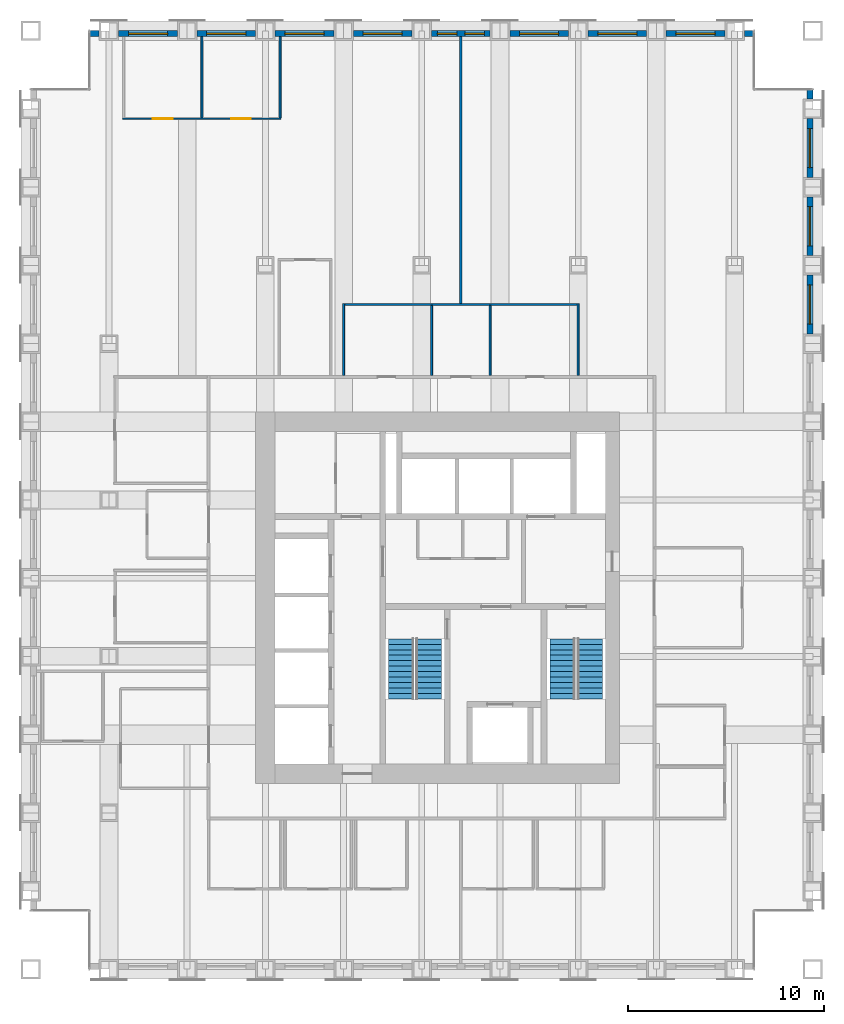
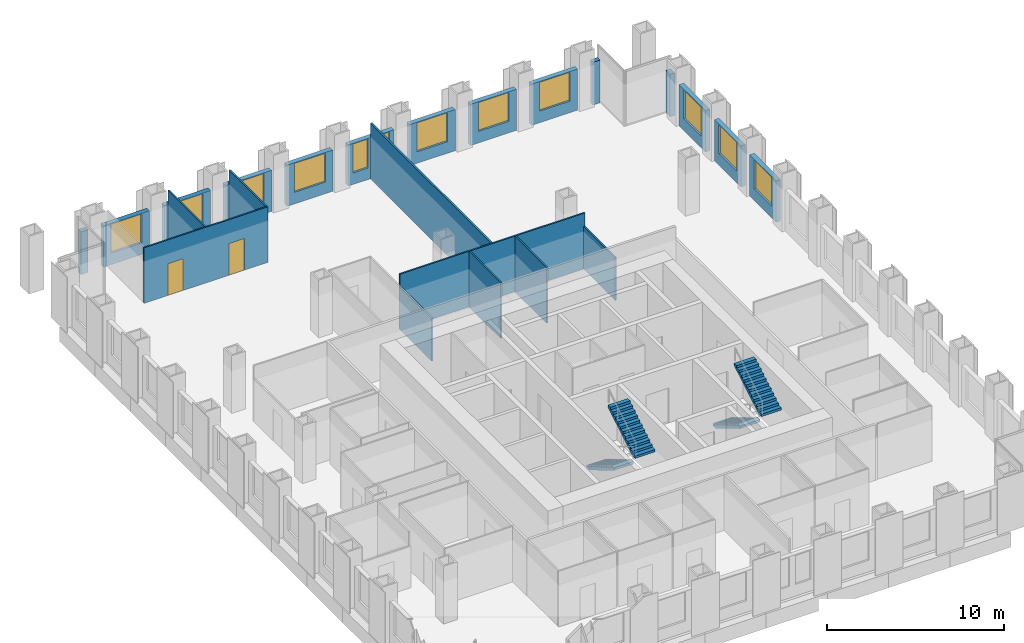
# One storey, part 12 of 14: 23 walls, 12 windows, 4 stair flights, 2 doors, 14 openings, 2 elements without a shape of their own.
"""IFC4 building model written with IfcOpenShell, lengths in metres."""

from ifc_helpers import new_model, si_unit, direction, frame, frame_2d, origin, place, context, subcontext, project, spatial, polyline, rectangle, outline, extrude, material, layer, layer_set, type_object, element, fill, aggregate, save


model = new_model("IFC4")

# Units and contexts
model_context = context("Model", 3, precision=1e-05, world=origin(), true_north=direction((0.0, 1.0)))
body_context = subcontext(model_context, "Body", "Model", "MODEL_VIEW")
ifc_project = project(units=[si_unit("LENGTHUNIT", "METRE"), si_unit("AREAUNIT", "SQUARE_METRE"), si_unit("VOLUMEUNIT", "CUBIC_METRE"), si_unit("PLANEANGLEUNIT", "RADIAN"), si_unit("MASSUNIT", "GRAM", prefix="KILO")], contexts=[model_context])

# Site, building, storey
site_placement = place(None, origin())
site = spatial("IfcSite", under=ifc_project, at=site_placement, CompositionType="ELEMENT")
building_placement = place(site_placement, origin())
building = spatial("IfcBuilding", under=site, at=building_placement, Name="Rimbunsela Tower", CompositionType="ELEMENT")
storey_placement = place(building_placement, frame((0.0, 0.0, 183.800048828125)))
storey = spatial("IfcBuildingStorey", under=building, at=storey_placement, Name="L44", CompositionType="ELEMENT", Elevation=183.800048828125)

# Wall, openings, doors
ifc_material_1 = material(Name="Gypsum board on steel studs", Category="steel")
ifc_layer_1 = layer(ifc_material_1, 0.10009765625)
ifc_layer_set_1 = layer_set([ifc_layer_1], Name="Office partition 100")
wall_type_1 = type_object("IfcWallType", Name="Office partition 100", PredefinedType="PARTITIONING", material=ifc_layer_set_1)
wall_1_placement = place(storey_placement, frame((10.699951171875, 51.5, 0.0), z_axis=(0.0, 0.0, 1.0), x_axis=(1.0, 0.0, 0.0)))
wall_1 = element("IfcWall", 1, at=wall_1_placement, inside=storey, type_object=wall_type_1, Name="Office partition", PredefinedType="PARTITIONING", context=body_context, shape_type="SweptSolid", body=[
    extrude(rectangle(XDim=8.10009765625, YDim=0.10009765625, at=frame_2d((4.050048828125, 0.0))), origin(), (0.0, 0.0, 1.0), 3.849853515625),
])
opening_1_placement = place(wall_1_placement, frame((1.550048828125, 0.0, 0.0)))
opening_1 = element("IfcOpeningElement", 2, at=opening_1_placement, cuts=wall_1, Name="Opening D16", PredefinedType="OPENING", context=body_context, shape_type="SweptSolid", body=[
    extrude(rectangle(XDim=1.0, YDim=2.199951171875, at=frame_2d((0.5, 1.10009765625))), frame((0.0, 0.06005859375, 0.0), z_axis=(0.0, -1.0, 0.0), x_axis=(1.0, 0.0, 0.0)), (0.0, 0.0, 1.0), 0.1201171875),
])
opening_2_placement = place(wall_1_placement, frame((5.550048828125, 0.0, 0.0)))
opening_2 = element("IfcOpeningElement", 3, at=opening_2_placement, cuts=wall_1, Name="Opening D16", PredefinedType="OPENING", context=body_context, shape_type="SweptSolid", body=[
    extrude(rectangle(XDim=1.0, YDim=2.199951171875, at=frame_2d((0.5, 1.10009765625))), frame((0.0, 0.06005859375, 0.0), z_axis=(0.0, -1.0, 0.0), x_axis=(1.0, 0.0, 0.0)), (0.0, 0.0, 1.0), 0.1201171875),
])
ifc_material_2 = material(Name="Timber door", Category="wood")
door_type = type_object("IfcDoorType", Name="Office door 1000", OperationType="SINGLE_SWING_LEFT", PredefinedType="DOOR", material=ifc_material_2)
door_1_placement = place(opening_1_placement, origin())
door_1 = element("IfcDoor", 4, at=door_1_placement, inside=storey, type_object=door_type, Name="Office door", OperationType="SINGLE_SWING_LEFT", OverallHeight=2.199951171875, OverallWidth=1.0, PredefinedType="DOOR", context=body_context, shape_type="SweptSolid", body=[
    extrude(rectangle(XDim=1.0, YDim=2.199951171875, at=frame_2d((0.5, 1.10009765625))), frame((0.0, 0.02490234375, 0.0), z_axis=(0.0, -1.0, 0.0), x_axis=(1.0, 0.0, 0.0)), (0.0, 0.0, 1.0), 0.050048828125),
])
fill(opening_1, door_1)
door_2_placement = place(opening_2_placement, origin())
door_2 = element("IfcDoor", 5, at=door_2_placement, inside=storey, type_object=door_type, Name="Office door", OperationType="SINGLE_SWING_LEFT", OverallHeight=2.199951171875, OverallWidth=1.0, PredefinedType="DOOR", context=body_context, shape_type="SweptSolid", body=[
    extrude(rectangle(XDim=1.0, YDim=2.199951171875, at=frame_2d((0.5, 1.10009765625))), frame((0.0, 0.02490234375, 0.0), z_axis=(0.0, -1.0, 0.0), x_axis=(1.0, 0.0, 0.0)), (0.0, 0.0, 1.0), 0.050048828125),
])
fill(opening_2, door_2)

# Walls
for number, where, z_axis, x_axis, name in (
    (6, (14.75, 51.550048828125, 0.0), (0.0, 0.0, 1.0), (0.0, 1.0, 0.0), "Office partition"),
    (7, (18.75, 51.550048828125, 0.0), (0.0, 0.0, 1.0), (0.0, 1.0, 0.0), "Office partition"),
):
    element("IfcWall", number, at=place(storey_placement, frame(where, z_axis=z_axis, x_axis=x_axis)), inside=storey, type_object=wall_type_1, Name=name, PredefinedType="PARTITIONING", context=body_context, shape_type="SweptSolid", body=[
        extrude(rectangle(XDim=4.14990234375, YDim=0.10009765625, at=frame_2d((2.074951171875, 0.0))), origin(), (0.0, 0.0, 1.0), 3.849853515625),
    ])

# Wall, opening, window
ifc_material_3 = material(Name="Precast concrete fc' 35 MPa", Category="concrete")
ifc_layer_2 = layer(ifc_material_3, 0.300048828125)
ifc_layer_set_2 = layer_set([ifc_layer_2], Name="Precast concrete fc' 35 MPa")
wall_type_2 = type_object("IfcWallType", Name="Precast facade panel 300", PredefinedType="ELEMENTEDWALL", material=ifc_layer_set_2)
wall_2_placement = place(storey_placement, frame((45.85009765625, 40.5, 0.0), z_axis=(0.0, 0.0, 1.0), x_axis=(0.0, 1.0, 0.0)))
wall_2 = element("IfcWall", 8, at=wall_2_placement, inside=storey, type_object=wall_type_2, Name="Facade panel E L44", PredefinedType="ELEMENTEDWALL", context=body_context, shape_type="SweptSolid", body=[
    extrude(rectangle(XDim=3.0, YDim=0.300048828125, at=frame_2d((1.5, 0.0))), origin(), (0.0, 0.0, 1.0), 2.849853515625),
])
opening_3_placement = place(wall_2_placement, frame((0.5, 0.0, 0.800048828125)))
opening_3 = element("IfcOpeningElement", 9, at=opening_3_placement, cuts=wall_2, Name="Opening W1", PredefinedType="OPENING", context=body_context, shape_type="SweptSolid", body=[
    extrude(rectangle(XDim=2.0, YDim=2.0, at=frame_2d((1.0, 1.0))), frame((0.0, 0.159912109375, 0.0), z_axis=(0.0, -1.0, 0.0), x_axis=(1.0, 0.0, 0.0)), (0.0, 0.0, 1.0), 0.320068359375),
])
ifc_material_4 = material(Name="Clear glass in aluminium frame", Category="aluminium")
window_type_1 = type_object("IfcWindowType", Name="Window W1 2000x2000", PartitioningType="DOUBLE_PANEL_VERTICAL", PredefinedType="WINDOW", material=ifc_material_4)
window_1_placement = place(opening_3_placement, origin())
window_1 = element("IfcWindow", 10, at=window_1_placement, inside=storey, type_object=window_type_1, Name="Window L44", OverallHeight=2.0, OverallWidth=2.0, PartitioningType="SINGLE_PANEL", PredefinedType="WINDOW", context=body_context, shape_type="SweptSolid", body=[
    extrude(rectangle(XDim=2.0, YDim=2.0, at=frame_2d((1.0, 1.0))), frame((0.0, 0.030029296875, 0.0), z_axis=(0.0, -1.0, 0.0), x_axis=(1.0, 0.0, 0.0)), (0.0, 0.0, 1.0), 0.06005859375),
])
fill(opening_3, window_1)

wall_3_placement = place(storey_placement, frame((45.85009765625, 44.5, 0.0), z_axis=(0.0, 0.0, 1.0), x_axis=(0.0, 1.0, 0.0)))
wall_3 = element("IfcWall", 11, at=wall_3_placement, inside=storey, type_object=wall_type_2, Name="Facade panel E L44", PredefinedType="ELEMENTEDWALL", context=body_context, shape_type="SweptSolid", body=[
    extrude(rectangle(XDim=3.0, YDim=0.300048828125, at=frame_2d((1.5, 0.0))), origin(), (0.0, 0.0, 1.0), 2.849853515625),
])
opening_4_placement = place(wall_3_placement, frame((0.5, 0.0, 0.800048828125)))
opening_4 = element("IfcOpeningElement", 12, at=opening_4_placement, cuts=wall_3, Name="Opening W1", PredefinedType="OPENING", context=body_context, shape_type="SweptSolid", body=[
    extrude(rectangle(XDim=2.0, YDim=2.0, at=frame_2d((1.0, 1.0))), frame((0.0, 0.159912109375, 0.0), z_axis=(0.0, -1.0, 0.0), x_axis=(1.0, 0.0, 0.0)), (0.0, 0.0, 1.0), 0.320068359375),
])
window_2_placement = place(opening_4_placement, origin())
window_2 = element("IfcWindow", 13, at=window_2_placement, inside=storey, type_object=window_type_1, Name="Window L44", OverallHeight=2.0, OverallWidth=2.0, PartitioningType="SINGLE_PANEL", PredefinedType="WINDOW", context=body_context, shape_type="SweptSolid", body=[
    extrude(rectangle(XDim=2.0, YDim=2.0, at=frame_2d((1.0, 1.0))), frame((0.0, 0.030029296875, 0.0), z_axis=(0.0, -1.0, 0.0), x_axis=(1.0, 0.0, 0.0)), (0.0, 0.0, 1.0), 0.06005859375),
])
fill(opening_4, window_2)

wall_4_placement = place(storey_placement, frame((45.85009765625, 48.5, 0.0), z_axis=(0.0, 0.0, 1.0), x_axis=(0.0, 1.0, 0.0)))
wall_4 = element("IfcWall", 14, at=wall_4_placement, inside=storey, type_object=wall_type_2, Name="Facade panel E L44", PredefinedType="ELEMENTEDWALL", context=body_context, shape_type="SweptSolid", body=[
    extrude(rectangle(XDim=3.0, YDim=0.300048828125, at=frame_2d((1.5, 0.0))), origin(), (0.0, 0.0, 1.0), 2.849853515625),
])
opening_5_placement = place(wall_4_placement, frame((0.5, 0.0, 0.800048828125)))
opening_5 = element("IfcOpeningElement", 15, at=opening_5_placement, cuts=wall_4, Name="Opening W1", PredefinedType="OPENING", context=body_context, shape_type="SweptSolid", body=[
    extrude(rectangle(XDim=2.0, YDim=2.0, at=frame_2d((1.0, 1.0))), frame((0.0, 0.159912109375, 0.0), z_axis=(0.0, -1.0, 0.0), x_axis=(1.0, 0.0, 0.0)), (0.0, 0.0, 1.0), 0.320068359375),
])
window_3_placement = place(opening_5_placement, origin())
window_3 = element("IfcWindow", 16, at=window_3_placement, inside=storey, type_object=window_type_1, Name="Window L44", OverallHeight=2.0, OverallWidth=2.0, PartitioningType="SINGLE_PANEL", PredefinedType="WINDOW", context=body_context, shape_type="SweptSolid", body=[
    extrude(rectangle(XDim=2.0, YDim=2.0, at=frame_2d((1.0, 1.0))), frame((0.0, 0.030029296875, 0.0), z_axis=(0.0, -1.0, 0.0), x_axis=(1.0, 0.0, 0.0)), (0.0, 0.0, 1.0), 0.06005859375),
])
fill(opening_5, window_3)

# Walls
for number, where, z_axis, x_axis, name in (
    (17, (45.85009765625, 52.5, 0.0), (0.0, 0.0, 1.0), (0.0, 1.0, 0.0), "Facade panel E L44"),
    (18, (9.5, 55.85009765625, 0.0), (0.0, 0.0, 1.0), (-1.0, 0.0, 0.0), "Facade panel N L44"),
):
    element("IfcWall", number, at=place(storey_placement, frame(where, z_axis=z_axis, x_axis=x_axis)), inside=storey, type_object=wall_type_2, Name=name, PredefinedType="ELEMENTEDWALL", context=body_context, shape_type="SweptSolid", body=[
        extrude(rectangle(XDim=0.469970703125, YDim=0.300048828125, at=frame_2d((0.23486328125, 0.0))), origin(), (0.0, 0.0, 1.0), 2.949951171875),
    ])

# Wall, opening, window
wall_5_placement = place(storey_placement, frame((13.5, 55.85009765625, 0.0), z_axis=(0.0, 0.0, 1.0), x_axis=(-1.0, 0.0, 0.0)))
wall_5 = element("IfcWall", 19, at=wall_5_placement, inside=storey, type_object=wall_type_2, Name="Facade panel N L44", PredefinedType="ELEMENTEDWALL", context=body_context, shape_type="SweptSolid", body=[
    extrude(rectangle(XDim=3.0, YDim=0.300048828125, at=frame_2d((1.5, 0.0))), origin(), (0.0, 0.0, 1.0), 2.849853515625),
])
opening_6_placement = place(wall_5_placement, frame((0.5, 0.0, 0.800048828125)))
opening_6 = element("IfcOpeningElement", 20, at=opening_6_placement, cuts=wall_5, Name="Opening W1", PredefinedType="OPENING", context=body_context, shape_type="SweptSolid", body=[
    extrude(rectangle(XDim=2.0, YDim=2.0, at=frame_2d((1.0, 1.0))), frame((0.0, 0.159912109375, 0.0), z_axis=(0.0, -1.0, 0.0), x_axis=(1.0, 0.0, 0.0)), (0.0, 0.0, 1.0), 0.320068359375),
])
window_4_placement = place(opening_6_placement, origin())
window_4 = element("IfcWindow", 21, at=window_4_placement, inside=storey, type_object=window_type_1, Name="Window L44", OverallHeight=2.0, OverallWidth=2.0, PartitioningType="SINGLE_PANEL", PredefinedType="WINDOW", context=body_context, shape_type="SweptSolid", body=[
    extrude(rectangle(XDim=2.0, YDim=2.0, at=frame_2d((1.0, 1.0))), frame((0.0, 0.030029296875, 0.0), z_axis=(0.0, -1.0, 0.0), x_axis=(1.0, 0.0, 0.0)), (0.0, 0.0, 1.0), 0.06005859375),
])
fill(opening_6, window_4)

wall_6_placement = place(storey_placement, frame((17.5, 55.85009765625, 0.0), z_axis=(0.0, 0.0, 1.0), x_axis=(-1.0, 0.0, 0.0)))
wall_6 = element("IfcWall", 22, at=wall_6_placement, inside=storey, type_object=wall_type_2, Name="Facade panel N L44", PredefinedType="ELEMENTEDWALL", context=body_context, shape_type="SweptSolid", body=[
    extrude(rectangle(XDim=3.0, YDim=0.300048828125, at=frame_2d((1.5, 0.0))), origin(), (0.0, 0.0, 1.0), 2.849853515625),
])
opening_7_placement = place(wall_6_placement, frame((0.5, 0.0, 0.800048828125)))
opening_7 = element("IfcOpeningElement", 23, at=opening_7_placement, cuts=wall_6, Name="Opening W1", PredefinedType="OPENING", context=body_context, shape_type="SweptSolid", body=[
    extrude(rectangle(XDim=2.0, YDim=2.0, at=frame_2d((1.0, 1.0))), frame((0.0, 0.159912109375, 0.0), z_axis=(0.0, -1.0, 0.0), x_axis=(1.0, 0.0, 0.0)), (0.0, 0.0, 1.0), 0.320068359375),
])
window_5_placement = place(opening_7_placement, origin())
window_5 = element("IfcWindow", 24, at=window_5_placement, inside=storey, type_object=window_type_1, Name="Window L44", OverallHeight=2.0, OverallWidth=2.0, PartitioningType="SINGLE_PANEL", PredefinedType="WINDOW", context=body_context, shape_type="SweptSolid", body=[
    extrude(rectangle(XDim=2.0, YDim=2.0, at=frame_2d((1.0, 1.0))), frame((0.0, 0.030029296875, 0.0), z_axis=(0.0, -1.0, 0.0), x_axis=(1.0, 0.0, 0.0)), (0.0, 0.0, 1.0), 0.06005859375),
])
fill(opening_7, window_5)

wall_7_placement = place(storey_placement, frame((21.5, 55.85009765625, 0.0), z_axis=(0.0, 0.0, 1.0), x_axis=(-1.0, 0.0, 0.0)))
wall_7 = element("IfcWall", 25, at=wall_7_placement, inside=storey, type_object=wall_type_2, Name="Facade panel N L44", PredefinedType="ELEMENTEDWALL", context=body_context, shape_type="SweptSolid", body=[
    extrude(rectangle(XDim=3.0, YDim=0.300048828125, at=frame_2d((1.5, 0.0))), origin(), (0.0, 0.0, 1.0), 2.849853515625),
])
opening_8_placement = place(wall_7_placement, frame((0.5, 0.0, 0.800048828125)))
opening_8 = element("IfcOpeningElement", 26, at=opening_8_placement, cuts=wall_7, Name="Opening W1", PredefinedType="OPENING", context=body_context, shape_type="SweptSolid", body=[
    extrude(rectangle(XDim=2.0, YDim=2.0, at=frame_2d((1.0, 1.0))), frame((0.0, 0.159912109375, 0.0), z_axis=(0.0, -1.0, 0.0), x_axis=(1.0, 0.0, 0.0)), (0.0, 0.0, 1.0), 0.320068359375),
])
window_6_placement = place(opening_8_placement, origin())
window_6 = element("IfcWindow", 27, at=window_6_placement, inside=storey, type_object=window_type_1, Name="Window L44", OverallHeight=2.0, OverallWidth=2.0, PartitioningType="SINGLE_PANEL", PredefinedType="WINDOW", context=body_context, shape_type="SweptSolid", body=[
    extrude(rectangle(XDim=2.0, YDim=2.0, at=frame_2d((1.0, 1.0))), frame((0.0, 0.030029296875, 0.0), z_axis=(0.0, -1.0, 0.0), x_axis=(1.0, 0.0, 0.0)), (0.0, 0.0, 1.0), 0.06005859375),
])
fill(opening_8, window_6)

wall_8_placement = place(storey_placement, frame((25.5, 55.85009765625, 0.0), z_axis=(0.0, 0.0, 1.0), x_axis=(-1.0, 0.0, 0.0)))
wall_8 = element("IfcWall", 28, at=wall_8_placement, inside=storey, type_object=wall_type_2, Name="Facade panel N L44", PredefinedType="ELEMENTEDWALL", context=body_context, shape_type="SweptSolid", body=[
    extrude(rectangle(XDim=3.0, YDim=0.300048828125, at=frame_2d((1.5, 0.0))), origin(), (0.0, 0.0, 1.0), 2.849853515625),
])
opening_9_placement = place(wall_8_placement, frame((0.5, 0.0, 0.800048828125)))
opening_9 = element("IfcOpeningElement", 29, at=opening_9_placement, cuts=wall_8, Name="Opening W1", PredefinedType="OPENING", context=body_context, shape_type="SweptSolid", body=[
    extrude(rectangle(XDim=2.0, YDim=2.0, at=frame_2d((1.0, 1.0))), frame((0.0, 0.159912109375, 0.0), z_axis=(0.0, -1.0, 0.0), x_axis=(1.0, 0.0, 0.0)), (0.0, 0.0, 1.0), 0.320068359375),
])
window_7_placement = place(opening_9_placement, origin())
window_7 = element("IfcWindow", 30, at=window_7_placement, inside=storey, type_object=window_type_1, Name="Window L44", OverallHeight=2.0, OverallWidth=2.0, PartitioningType="SINGLE_PANEL", PredefinedType="WINDOW", context=body_context, shape_type="SweptSolid", body=[
    extrude(rectangle(XDim=2.0, YDim=2.0, at=frame_2d((1.0, 1.0))), frame((0.0, 0.030029296875, 0.0), z_axis=(0.0, -1.0, 0.0), x_axis=(1.0, 0.0, 0.0)), (0.0, 0.0, 1.0), 0.06005859375),
])
fill(opening_9, window_7)

# Wall, openings, windows
wall_9_placement = place(storey_placement, frame((29.5, 55.85009765625, 0.0), z_axis=(0.0, 0.0, 1.0), x_axis=(-1.0, 0.0, 0.0)))
wall_9 = element("IfcWall", 31, at=wall_9_placement, inside=storey, type_object=wall_type_2, Name="Facade panel N L44", PredefinedType="ELEMENTEDWALL", context=body_context, shape_type="SweptSolid", body=[
    extrude(rectangle(XDim=3.0, YDim=0.300048828125, at=frame_2d((1.5, 0.0))), origin(), (0.0, 0.0, 1.0), 2.849853515625),
])
opening_10_placement = place(wall_9_placement, frame((1.699951171875, 0.0, 0.800048828125)))
opening_10 = element("IfcOpeningElement", 32, at=opening_10_placement, cuts=wall_9, Name="Opening W5", PredefinedType="OPENING", context=body_context, shape_type="SweptSolid", body=[
    extrude(rectangle(XDim=1.0, YDim=2.0, at=frame_2d((0.5, 1.0))), frame((0.0, 0.159912109375, 0.0), z_axis=(0.0, -1.0, 0.0), x_axis=(1.0, 0.0, 0.0)), (0.0, 0.0, 1.0), 0.320068359375),
])
opening_11_placement = place(wall_9_placement, frame((0.300048828125, 0.0, 0.800048828125)))
opening_11 = element("IfcOpeningElement", 33, at=opening_11_placement, cuts=wall_9, Name="Opening W5", PredefinedType="OPENING", context=body_context, shape_type="SweptSolid", body=[
    extrude(rectangle(XDim=1.0, YDim=2.0, at=frame_2d((0.5, 1.0))), frame((0.0, 0.159912109375, 0.0), z_axis=(0.0, -1.0, 0.0), x_axis=(1.0, 0.0, 0.0)), (0.0, 0.0, 1.0), 0.320068359375),
])
ifc_material_5 = material(Name="Clear glass in aluminium frame", Category="aluminium")
window_type_2 = type_object("IfcWindowType", Name="Window W5 1000x2000", PartitioningType="SINGLE_PANEL", PredefinedType="WINDOW", material=ifc_material_5)
window_8_placement = place(opening_10_placement, origin())
window_8 = element("IfcWindow", 34, at=window_8_placement, inside=storey, type_object=window_type_2, Name="Window L44", OverallHeight=2.0, OverallWidth=1.0, PartitioningType="SINGLE_PANEL", PredefinedType="WINDOW", context=body_context, shape_type="SweptSolid", body=[
    extrude(rectangle(XDim=1.0, YDim=2.0, at=frame_2d((0.5, 1.0))), frame((0.0, 0.030029296875, 0.0), z_axis=(0.0, -1.0, 0.0), x_axis=(1.0, 0.0, 0.0)), (0.0, 0.0, 1.0), 0.06005859375),
])
fill(opening_10, window_8)
window_9_placement = place(opening_11_placement, origin())
window_9 = element("IfcWindow", 35, at=window_9_placement, inside=storey, type_object=window_type_2, Name="Window L44", OverallHeight=2.0, OverallWidth=1.0, PartitioningType="SINGLE_PANEL", PredefinedType="WINDOW", context=body_context, shape_type="SweptSolid", body=[
    extrude(rectangle(XDim=1.0, YDim=2.0, at=frame_2d((0.5, 1.0))), frame((0.0, 0.030029296875, 0.0), z_axis=(0.0, -1.0, 0.0), x_axis=(1.0, 0.0, 0.0)), (0.0, 0.0, 1.0), 0.06005859375),
])
fill(opening_11, window_9)

# Wall, opening, window
wall_10_placement = place(storey_placement, frame((33.5, 55.85009765625, 0.0), z_axis=(0.0, 0.0, 1.0), x_axis=(-1.0, 0.0, 0.0)))
wall_10 = element("IfcWall", 36, at=wall_10_placement, inside=storey, type_object=wall_type_2, Name="Facade panel N L44", PredefinedType="ELEMENTEDWALL", context=body_context, shape_type="SweptSolid", body=[
    extrude(rectangle(XDim=3.0, YDim=0.300048828125, at=frame_2d((1.5, 0.0))), origin(), (0.0, 0.0, 1.0), 2.849853515625),
])
opening_12_placement = place(wall_10_placement, frame((0.5, 0.0, 0.800048828125)))
opening_12 = element("IfcOpeningElement", 37, at=opening_12_placement, cuts=wall_10, Name="Opening W1", PredefinedType="OPENING", context=body_context, shape_type="SweptSolid", body=[
    extrude(rectangle(XDim=2.0, YDim=2.0, at=frame_2d((1.0, 1.0))), frame((0.0, 0.159912109375, 0.0), z_axis=(0.0, -1.0, 0.0), x_axis=(1.0, 0.0, 0.0)), (0.0, 0.0, 1.0), 0.320068359375),
])
window_10_placement = place(opening_12_placement, origin())
window_10 = element("IfcWindow", 38, at=window_10_placement, inside=storey, type_object=window_type_1, Name="Window L44", OverallHeight=2.0, OverallWidth=2.0, PartitioningType="SINGLE_PANEL", PredefinedType="WINDOW", context=body_context, shape_type="SweptSolid", body=[
    extrude(rectangle(XDim=2.0, YDim=2.0, at=frame_2d((1.0, 1.0))), frame((0.0, 0.030029296875, 0.0), z_axis=(0.0, -1.0, 0.0), x_axis=(1.0, 0.0, 0.0)), (0.0, 0.0, 1.0), 0.06005859375),
])
fill(opening_12, window_10)

wall_11_placement = place(storey_placement, frame((37.5, 55.85009765625, 0.0), z_axis=(0.0, 0.0, 1.0), x_axis=(-1.0, 0.0, 0.0)))
wall_11 = element("IfcWall", 39, at=wall_11_placement, inside=storey, type_object=wall_type_2, Name="Facade panel N L44", PredefinedType="ELEMENTEDWALL", context=body_context, shape_type="SweptSolid", body=[
    extrude(rectangle(XDim=3.0, YDim=0.300048828125, at=frame_2d((1.5, 0.0))), origin(), (0.0, 0.0, 1.0), 2.849853515625),
])
opening_13_placement = place(wall_11_placement, frame((0.5, 0.0, 0.800048828125)))
opening_13 = element("IfcOpeningElement", 40, at=opening_13_placement, cuts=wall_11, Name="Opening W1", PredefinedType="OPENING", context=body_context, shape_type="SweptSolid", body=[
    extrude(rectangle(XDim=2.0, YDim=2.0, at=frame_2d((1.0, 1.0))), frame((0.0, 0.159912109375, 0.0), z_axis=(0.0, -1.0, 0.0), x_axis=(1.0, 0.0, 0.0)), (0.0, 0.0, 1.0), 0.320068359375),
])
window_11_placement = place(opening_13_placement, origin())
window_11 = element("IfcWindow", 41, at=window_11_placement, inside=storey, type_object=window_type_1, Name="Window L44", OverallHeight=2.0, OverallWidth=2.0, PartitioningType="SINGLE_PANEL", PredefinedType="WINDOW", context=body_context, shape_type="SweptSolid", body=[
    extrude(rectangle(XDim=2.0, YDim=2.0, at=frame_2d((1.0, 1.0))), frame((0.0, 0.030029296875, 0.0), z_axis=(0.0, -1.0, 0.0), x_axis=(1.0, 0.0, 0.0)), (0.0, 0.0, 1.0), 0.06005859375),
])
fill(opening_13, window_11)

wall_12_placement = place(storey_placement, frame((41.5, 55.85009765625, 0.0), z_axis=(0.0, 0.0, 1.0), x_axis=(-1.0, 0.0, 0.0)))
wall_12 = element("IfcWall", 42, at=wall_12_placement, inside=storey, type_object=wall_type_2, Name="Facade panel N L44", PredefinedType="ELEMENTEDWALL", context=body_context, shape_type="SweptSolid", body=[
    extrude(rectangle(XDim=3.0, YDim=0.300048828125, at=frame_2d((1.5, 0.0))), origin(), (0.0, 0.0, 1.0), 2.849853515625),
])
opening_14_placement = place(wall_12_placement, frame((0.5, 0.0, 0.800048828125)))
opening_14 = element("IfcOpeningElement", 43, at=opening_14_placement, cuts=wall_12, Name="Opening W1", PredefinedType="OPENING", context=body_context, shape_type="SweptSolid", body=[
    extrude(rectangle(XDim=2.0, YDim=2.0, at=frame_2d((1.0, 1.0))), frame((0.0, 0.159912109375, 0.0), z_axis=(0.0, -1.0, 0.0), x_axis=(1.0, 0.0, 0.0)), (0.0, 0.0, 1.0), 0.320068359375),
])
window_12_placement = place(opening_14_placement, origin())
window_12 = element("IfcWindow", 44, at=window_12_placement, inside=storey, type_object=window_type_1, Name="Window L44", OverallHeight=2.0, OverallWidth=2.0, PartitioningType="SINGLE_PANEL", PredefinedType="WINDOW", context=body_context, shape_type="SweptSolid", body=[
    extrude(rectangle(XDim=2.0, YDim=2.0, at=frame_2d((1.0, 1.0))), frame((0.0, 0.030029296875, 0.0), z_axis=(0.0, -1.0, 0.0), x_axis=(1.0, 0.0, 0.0)), (0.0, 0.0, 1.0), 0.06005859375),
])
fill(opening_14, window_12)

# Walls
wall_13_placement = place(storey_placement, frame((42.969970703125, 55.85009765625, 0.0), z_axis=(0.0, 0.0, 1.0), x_axis=(-1.0, 0.0, 0.0)))
element("IfcWall", 45, at=wall_13_placement, inside=storey, type_object=wall_type_2, Name="Facade panel N L44", PredefinedType="ELEMENTEDWALL", context=body_context, shape_type="SweptSolid", body=[
    extrude(rectangle(XDim=0.469970703125, YDim=0.300048828125, at=frame_2d((0.23486328125, 0.0))), origin(), (0.0, 0.0, 1.0), 2.949951171875),
])
ifc_material_6 = material(Name="Gypsum board on steel studs", Category="steel")
ifc_layer_3 = layer(ifc_material_6, 0.1201171875)
ifc_layer_set_3 = layer_set([ifc_layer_3], Name="Tenancy partition 120")
wall_type_3 = type_object("IfcWallType", Name="Tenancy partition 120", PredefinedType="PARTITIONING", material=ifc_layer_set_3)
wall_14_placement = place(storey_placement, frame((28.0, 42.050048828125, 0.0), z_axis=(0.0, 0.0, 1.0), x_axis=(0.0, 1.0, 0.0)))
element("IfcWall", 46, at=wall_14_placement, inside=storey, type_object=wall_type_3, Name="Tenancy partition north", PredefinedType="PARTITIONING", context=body_context, shape_type="SweptSolid", body=[
    extrude(rectangle(XDim=13.64990234375, YDim=0.1201171875, at=frame_2d((6.824951171875, 0.0))), origin(), (0.0, 0.0, 1.0), 3.849853515625),
])
ifc_material_7 = material(Name="Concrete blockwork", Category="masonry")
ifc_layer_4 = layer(ifc_material_7, 0.10009765625)
ifc_layer_set_4 = layer_set([ifc_layer_4], Name="Toilet partition 100")
wall_type_4 = type_object("IfcWallType", Name="Toilet partition 100", PredefinedType="PARTITIONING", material=ifc_layer_set_4)
for number, where, z_axis, x_axis, name in (
    (47, (22.0, 38.375, 0.0), (0.0, 0.0, 1.0), (0.0, 1.0, 0.0), "Toilet block wall west"),
    (48, (34.0, 38.375, 0.0), (0.0, 0.0, 1.0), (0.0, 1.0, 0.0), "Toilet block wall east"),
):
    element("IfcWall", number, at=place(storey_placement, frame(where, z_axis=z_axis, x_axis=x_axis)), inside=storey, type_object=wall_type_4, Name=name, PredefinedType="PARTITIONING", context=body_context, shape_type="SweptSolid", body=[
        extrude(rectangle(XDim=3.675048828125, YDim=0.10009765625, at=frame_2d((1.83740234375, 0.0))), origin(), (0.0, 0.0, 1.0), 2.949951171875),
    ])
wall_15_placement = place(storey_placement, frame((21.949951171875, 42.0, 0.0), z_axis=(0.0, 0.0, 1.0), x_axis=(1.0, 0.0, 0.0)))
element("IfcWall", 49, at=wall_15_placement, inside=storey, type_object=wall_type_4, Name="Toilet block wall north", PredefinedType="PARTITIONING", context=body_context, shape_type="SweptSolid", body=[
    extrude(rectangle(XDim=12.10009765625, YDim=0.10009765625, at=frame_2d((6.050048828125, 0.0))), origin(), (0.0, 0.0, 1.0), 3.849853515625),
])
for number, where, z_axis, x_axis, name in (
    (50, (26.5, 38.375, 0.0), (0.0, 0.0, 1.0), (0.0, 1.0, 0.0), "Toilet partition"),
    (51, (29.5, 38.375, 0.0), (0.0, 0.0, 1.0), (0.0, 1.0, 0.0), "Toilet partition"),
):
    element("IfcWall", number, at=place(storey_placement, frame(where, z_axis=z_axis, x_axis=x_axis)), inside=storey, type_object=wall_type_4, Name=name, PredefinedType="PARTITIONING", context=body_context, shape_type="SweptSolid", body=[
        extrude(rectangle(XDim=3.574951171875, YDim=0.10009765625, at=frame_2d((1.78759765625, 0.0))), origin(), (0.0, 0.0, 1.0), 3.849853515625),
    ])

# Stair, stair flights
ifc_material_8 = material(Name="Concrete fc' 35 MPa", Category="concrete")
stair_type = type_object("IfcStairType", Name="Exit stair 24 risers", PredefinedType="HALF_TURN_STAIR", material=ifc_material_8)
stair_1_placement = place(storey_placement, origin())
stair_1 = element("IfcStair", 52, at=stair_1_placement, inside=storey, type_object=stair_type, Name="Exit stair A L44", PredefinedType="HALF_TURN_STAIR")
ifc_material_9 = material(Name="Concrete fc' 35 MPa", Category="concrete")
stair_flight_type = type_object("IfcStairFlightType", Name="Stair flight 12 risers 167", PredefinedType="STRAIGHT", material=ifc_material_9)
stair_flight_1_placement = place(storey_placement, frame((24.949951171875, 24.89990234375, 0.0), z_axis=(0.0, 0.0, 1.0), x_axis=(0.0, -1.0, 0.0)))
stair_flight_1 = element("IfcStairFlight", 53, at=stair_flight_1_placement, type_object=stair_flight_type, Name="ST-A flight 1", NumberOfRisers=12, NumberOfTreads=11, PredefinedType="STRAIGHT", RiserHeight=0.166666667, TreadLength=0.28, context=body_context, shape_type="SweptSolid", body=[
    extrude(outline(polyline([(0.0, 0.0), (0.0, 0.166748046875), (0.280029296875, 0.166748046875), (0.280029296875, 0.333251953125), (0.56005859375, 0.333251953125), (0.56005859375, 0.5), (0.840087890625, 0.5), (0.840087890625, 0.666748046875), (1.1201171875, 0.666748046875), (1.1201171875, 0.833251953125), (1.39990234375, 0.833251953125), (1.39990234375, 1.0), (1.679931640625, 1.0), (1.679931640625, 1.166748046875), (1.9599609375, 1.166748046875), (1.9599609375, 1.333251953125), (2.239990234375, 1.333251953125), (2.239990234375, 1.5), (2.52001953125, 1.5), (2.52001953125, 1.666748046875), (2.800048828125, 1.666748046875), (2.800048828125, 1.833251953125), (3.080078125, 1.833251953125), (3.080078125, 2.0), (3.080078125, 1.658935546875), (0.29296875, 0.0), (0.0, 0.0)])), frame((0.0, 0.64990234375, 0.0), z_axis=(0.0, -1.0, 0.0), x_axis=(1.0, 0.0, 0.0)), (0.0, 0.0, 1.0), 1.300048828125),
])
stair_flight_2_placement = place(storey_placement, frame((26.35009765625, 21.820068359375, 2.0), z_axis=(0.0, 0.0, 1.0), x_axis=(0.0, 1.0, 0.0)))
stair_flight_2 = element("IfcStairFlight", 54, at=stair_flight_2_placement, type_object=stair_flight_type, Name="ST-A flight 2", NumberOfRisers=12, NumberOfTreads=11, PredefinedType="STRAIGHT", RiserHeight=0.166666667, TreadLength=0.28, context=body_context, shape_type="SweptSolid", body=[
    extrude(outline(polyline([(0.0, 0.0), (0.0, 0.166748046875), (0.280029296875, 0.166748046875), (0.280029296875, 0.333251953125), (0.56005859375, 0.333251953125), (0.56005859375, 0.5), (0.840087890625, 0.5), (0.840087890625, 0.666748046875), (1.1201171875, 0.666748046875), (1.1201171875, 0.833251953125), (1.39990234375, 0.833251953125), (1.39990234375, 1.0), (1.679931640625, 1.0), (1.679931640625, 1.166748046875), (1.9599609375, 1.166748046875), (1.9599609375, 1.333251953125), (2.239990234375, 1.333251953125), (2.239990234375, 1.5), (2.52001953125, 1.5), (2.52001953125, 1.666748046875), (2.800048828125, 1.666748046875), (2.800048828125, 1.833251953125), (3.080078125, 1.833251953125), (3.080078125, 2.0), (3.080078125, 1.658935546875), (0.29296875, 0.0), (0.0, 0.0)])), frame((0.0, 0.64990234375, 0.0), z_axis=(0.0, -1.0, 0.0), x_axis=(1.0, 0.0, 0.0)), (0.0, 0.0, 1.0), 1.300048828125),
])
aggregate(stair_1, [stair_flight_1, stair_flight_2])

stair_2_placement = place(storey_placement, origin())
stair_2 = element("IfcStair", 55, at=stair_2_placement, inside=storey, type_object=stair_type, Name="Exit stair B L44", PredefinedType="HALF_TURN_STAIR")
stair_flight_3_placement = place(storey_placement, frame((33.199951171875, 24.89990234375, 0.0), z_axis=(0.0, 0.0, 1.0), x_axis=(0.0, -1.0, 0.0)))
stair_flight_3 = element("IfcStairFlight", 56, at=stair_flight_3_placement, type_object=stair_flight_type, Name="ST-B flight 1", NumberOfRisers=12, NumberOfTreads=11, PredefinedType="STRAIGHT", RiserHeight=0.166666667, TreadLength=0.28, context=body_context, shape_type="SweptSolid", body=[
    extrude(outline(polyline([(0.0, 0.0), (0.0, 0.166748046875), (0.280029296875, 0.166748046875), (0.280029296875, 0.333251953125), (0.56005859375, 0.333251953125), (0.56005859375, 0.5), (0.840087890625, 0.5), (0.840087890625, 0.666748046875), (1.1201171875, 0.666748046875), (1.1201171875, 0.833251953125), (1.39990234375, 0.833251953125), (1.39990234375, 1.0), (1.679931640625, 1.0), (1.679931640625, 1.166748046875), (1.9599609375, 1.166748046875), (1.9599609375, 1.333251953125), (2.239990234375, 1.333251953125), (2.239990234375, 1.5), (2.52001953125, 1.5), (2.52001953125, 1.666748046875), (2.800048828125, 1.666748046875), (2.800048828125, 1.833251953125), (3.080078125, 1.833251953125), (3.080078125, 2.0), (3.080078125, 1.658935546875), (0.29296875, 0.0), (0.0, 0.0)])), frame((0.0, 0.64990234375, 0.0), z_axis=(0.0, -1.0, 0.0), x_axis=(1.0, 0.0, 0.0)), (0.0, 0.0, 1.0), 1.300048828125),
])
stair_flight_4_placement = place(storey_placement, frame((34.60009765625, 21.820068359375, 2.0), z_axis=(0.0, 0.0, 1.0), x_axis=(0.0, 1.0, 0.0)))
stair_flight_4 = element("IfcStairFlight", 57, at=stair_flight_4_placement, type_object=stair_flight_type, Name="ST-B flight 2", NumberOfRisers=12, NumberOfTreads=11, PredefinedType="STRAIGHT", RiserHeight=0.166666667, TreadLength=0.28, context=body_context, shape_type="SweptSolid", body=[
    extrude(outline(polyline([(0.0, 0.0), (0.0, 0.166748046875), (0.280029296875, 0.166748046875), (0.280029296875, 0.333251953125), (0.56005859375, 0.333251953125), (0.56005859375, 0.5), (0.840087890625, 0.5), (0.840087890625, 0.666748046875), (1.1201171875, 0.666748046875), (1.1201171875, 0.833251953125), (1.39990234375, 0.833251953125), (1.39990234375, 1.0), (1.679931640625, 1.0), (1.679931640625, 1.166748046875), (1.9599609375, 1.166748046875), (1.9599609375, 1.333251953125), (2.239990234375, 1.333251953125), (2.239990234375, 1.5), (2.52001953125, 1.5), (2.52001953125, 1.666748046875), (2.800048828125, 1.666748046875), (2.800048828125, 1.833251953125), (3.080078125, 1.833251953125), (3.080078125, 2.0), (3.080078125, 1.658935546875), (0.29296875, 0.0), (0.0, 0.0)])), frame((0.0, 0.64990234375, 0.0), z_axis=(0.0, -1.0, 0.0), x_axis=(1.0, 0.0, 0.0)), (0.0, 0.0, 1.0), 1.300048828125),
])
aggregate(stair_2, [stair_flight_3, stair_flight_4])

save(model, "model.ifc")
